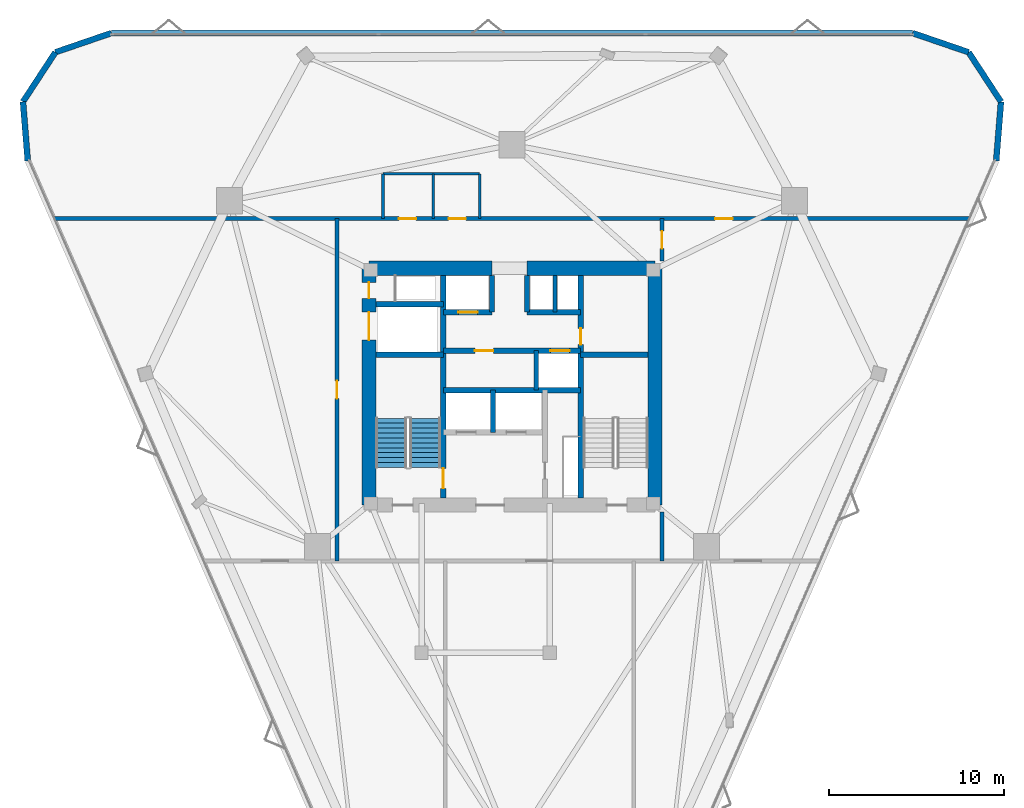
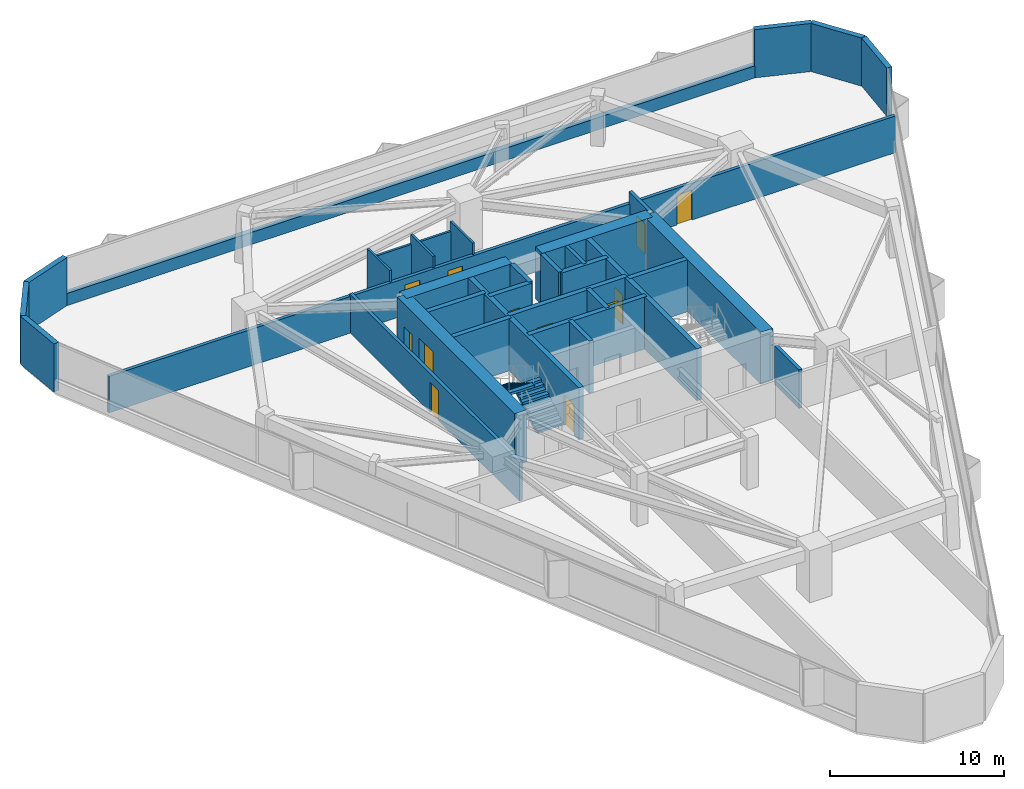
# One storey, part 9 of 11: 33 walls, 12 doors, 2 stair flights, 12 openings, 1 element without a shape of its own.
"""IFC4 building model written with IfcOpenShell, lengths in metres."""

import ifcopenshell
import ifcopenshell.guid

model = None  # the IFC model being written
_history = None  # IfcOwnerHistory: only IFC2X3 demands one
_inside = {}  # id of a spatial element -> (the spatial element, [elements in it])
_under = {}  # id of a project, library or spatial element -> (it, [spatial elements below it])
_declared = {}  # id of a project -> (the project, [libraries it declares])
_typed = {}  # id of a type object -> (the type object, [elements of that type])
_made_of = {}  # id of a material, layer set ... -> (it, [elements and type objects made of it])


def new_model(schema):
    """Start an empty IFC model of exactly this schema.

    Asked for "IFC4X3", IfcOpenShell would pick the latest addendum, in which some entities
    have other attributes; the version numbers below select the first issue.
    IFC2X3 requires an IfcOwnerHistory on every rooted entity: one is made here for all.
    """
    global model, _history
    if schema == "IFC4X3":
        model = ifcopenshell.file(schema_version=(4, 3, 0, 0))
    else:
        model = ifcopenshell.file(schema=schema)
    _inside.clear()
    _under.clear()
    _declared.clear()
    _typed.clear()
    _made_of.clear()
    _history = None
    if model.schema == "IFC2X3":
        org = make("IfcOrganization", Name="unknown")
        user = make(
            "IfcPersonAndOrganization",
            ThePerson=make("IfcPerson", FamilyName="unknown"),
            TheOrganization=org,
        )
        app = make(
            "IfcApplication",
            ApplicationDeveloper=org,
            Version="unknown",
            ApplicationFullName="unknown",
            ApplicationIdentifier="unknown",
        )
        _history = make(
            "IfcOwnerHistory",
            OwningUser=user,
            OwningApplication=app,
            ChangeAction="ADDED",
            CreationDate=0,
        )
    return model


def make(cls, **values):
    """One entity of the class cls with the attributes given. An attribute that is None is left unset."""
    return model.create_entity(
        cls, **{name: value for name, value in values.items() if value is not None}
    )


def rooted(cls, **values):
    """An entity with a GlobalId (a new one), such as an element, a storey or a relation."""
    return make(cls, GlobalId=ifcopenshell.guid.new(), OwnerHistory=_history, **values)


def si_unit(unit_type, name, prefix=None):
    """IfcSIUnit, for example si_unit("LENGTHUNIT", "METRE", prefix="MILLI")."""
    return make("IfcSIUnit", UnitType=unit_type, Prefix=prefix, Name=name)


def assignment(units):
    """IfcUnitAssignment: the units of a project."""
    return None if units is None else make("IfcUnitAssignment", Units=units)


def point(xyz):
    """IfcCartesianPoint."""
    return None if xyz is None else make("IfcCartesianPoint", Coordinates=xyz)


def direction(xyz):
    """IfcDirection."""
    return None if xyz is None else make("IfcDirection", DirectionRatios=xyz)


def frame(location, z_axis=None, x_axis=None):
    """IfcAxis2Placement3D, a coordinate frame: its origin and axes. An axis left out is left unset."""
    return make(
        "IfcAxis2Placement3D",
        Location=point(location),
        Axis=direction(z_axis),
        RefDirection=direction(x_axis),
    )


def frame_2d(location, x_axis=None):
    """IfcAxis2Placement2D, a coordinate frame in the plane: its origin and x axis."""
    return make(
        "IfcAxis2Placement2D", Location=point(location), RefDirection=direction(x_axis)
    )


def origin():
    """The frame at (0, 0, 0) with its axes left unset."""
    return frame((0.0, 0.0, 0.0))


def place(relative_to, where):
    """IfcLocalPlacement: puts the frame where relative to a parent placement (None: the world)."""
    return make(
        "IfcLocalPlacement", PlacementRelTo=relative_to, RelativePlacement=where
    )


def context(
    kind, dimensions, precision=None, world=None, true_north=None, identifier=None
):
    """IfcGeometricRepresentationContext, for example the 3D "Model" context."""
    return make(
        "IfcGeometricRepresentationContext",
        ContextIdentifier=identifier,
        ContextType=kind,
        CoordinateSpaceDimension=dimensions,
        Precision=precision,
        WorldCoordinateSystem=world,
        TrueNorth=true_north,
    )


def subcontext(parent, identifier, kind, view, scale=None):
    """IfcGeometricRepresentationSubContext, for example "Body" below "Model"."""
    return make(
        "IfcGeometricRepresentationSubContext",
        ContextIdentifier=identifier,
        ContextType=kind,
        ParentContext=parent,
        TargetScale=scale,
        TargetView=view,
    )


def project(units=None, contexts=None):
    """IfcProject with its units and contexts."""
    return rooted(
        "IfcProject",
        Name="project",
        RepresentationContexts=contexts,
        UnitsInContext=assignment(units),
    )


def spatial(cls, under=None, at=None, **own):
    """A site, building, storey or space (cls), placed at a placement, below another one or the project."""
    s = rooted(cls, ObjectPlacement=at, **own)
    if under is not None:
        _under.setdefault(under.id(), (under, []))[1].append(s)
    return s


def polyline(points):
    """IfcPolyline through the points."""
    return make("IfcPolyline", Points=[point(p) for p in points])


def profile(cls, at=None, kind="AREA", **sizes):
    """A parametric profile (cls). Its sizes go by their IFC names, for example OverallWidth=200.0."""
    return make(cls, ProfileType=kind, Position=at, **sizes)


def rectangle(**sizes):
    """IfcRectangleProfileDef."""
    return profile("IfcRectangleProfileDef", **sizes)


def outline(outer, holes=None, kind="AREA"):
    """IfcArbitraryClosedProfileDef: a profile drawn as a closed curve; with holes, ...WithVoids."""
    if holes is None:
        return make("IfcArbitraryClosedProfileDef", ProfileType=kind, OuterCurve=outer)
    return make(
        "IfcArbitraryProfileDefWithVoids",
        ProfileType=kind,
        OuterCurve=outer,
        InnerCurves=holes,
    )


def extrude(swept, where, along, depth):
    """IfcExtrudedAreaSolid: the profile swept, set in the frame where, extruded along a direction by depth."""
    return make(
        "IfcExtrudedAreaSolid",
        SweptArea=swept,
        Position=where,
        ExtrudedDirection=direction(along),
        Depth=depth,
    )


def shape(context_of_items, identifier, shape_type, items):
    """IfcShapeRepresentation: the items that make up one representation, for example the "Body"."""
    return make(
        "IfcShapeRepresentation",
        ContextOfItems=context_of_items,
        RepresentationIdentifier=identifier,
        RepresentationType=shape_type,
        Items=items,
    )


def material(Name=None, Category=None):
    """IfcMaterial."""
    return make("IfcMaterial", Name=Name, Category=Category)


def layer(
    of_material, thickness, ventilated=None, Name=None, Category=None, Priority=None
):
    """IfcMaterialLayer: one layer of a wall or slab, of a material (None: an air gap)."""
    return make(
        "IfcMaterialLayer",
        Material=of_material,
        LayerThickness=thickness,
        IsVentilated=ventilated,
        Name=Name,
        Category=Category,
        Priority=Priority,
    )


def layer_set(layers, Name=None):
    """IfcMaterialLayerSet."""
    return make("IfcMaterialLayerSet", MaterialLayers=layers, LayerSetName=Name)


def made_of(thing, what):
    """Note that an element or type object is made of a material, layer set ...; save() writes the relation."""
    if what is not None:
        _made_of.setdefault(what.id(), (what, []))[1].append(thing)
    return thing


def type_object(cls, material=None, **own):
    """A type object (cls), such as IfcWallType, which elements share."""
    return made_of(rooted(cls, **own), material)


def element(
    cls,
    number,
    at=None,
    inside=None,
    cuts=None,
    type_object=None,
    material=None,
    context=None,
    identifier="Body",
    shape_type=None,
    held_by="IfcProductDefinitionShape",
    body=None,
    shapes=None,
    **own,
):
    """One element of the class cls, such as IfcWall. Its Tag is "e" and its number.

    at: its placement. inside: the storey or other place that contains it. cuts: it is an
    opening in that element (IfcRelVoidsElement). A single representation is given by context,
    identifier, shape_type and body (its items); several are given by shapes. held_by: the class
    of the entity that holds the representations. save() writes the other relations.
    """
    e = rooted(cls, Tag="e%d" % number, ObjectPlacement=at, **own)
    if body is not None:
        shapes = [shape(context, identifier, shape_type, body)]
    if shapes is not None:
        e.Representation = make(held_by, Representations=shapes)
    if inside is not None:
        _inside.setdefault(inside.id(), (inside, []))[1].append(e)
    if cuts is not None:
        rooted(
            "IfcRelVoidsElement", RelatingBuildingElement=cuts, RelatedOpeningElement=e
        )
    if type_object is not None:
        _typed.setdefault(type_object.id(), (type_object, []))[1].append(e)
    return made_of(e, material)


def fill(opening, filler):
    """IfcRelFillsElement: the door or window that sits in an opening."""
    return rooted(
        "IfcRelFillsElement",
        RelatingOpeningElement=opening,
        RelatedBuildingElement=filler,
    )


def aggregate(whole, parts):
    """IfcRelAggregates: a whole, such as a stair, and the parts it consists of."""
    return rooted("IfcRelAggregates", RelatingObject=whole, RelatedObjects=parts)


def save(model, path):
    """Write the relations noted so far, then the file.

    IfcRelAggregates (storeys below a building ...), IfcRelContainedInSpatialStructure (elements
    in a storey), IfcRelDefinesByType, IfcRelAssociatesMaterial and IfcRelDeclares: one each for
    every whole, place, type object, material and project.
    """
    for whole, parts in _under.values():
        aggregate(whole, parts)
    for where, things in _inside.values():
        rooted(
            "IfcRelContainedInSpatialStructure",
            RelatedElements=things,
            RelatingStructure=where,
        )
    for kind, things in _typed.values():
        rooted("IfcRelDefinesByType", RelatedObjects=things, RelatingType=kind)
    for what, things in _made_of.values():
        rooted("IfcRelAssociatesMaterial", RelatedObjects=things, RelatingMaterial=what)
    for by, libraries in _declared.values():
        rooted("IfcRelDeclares", RelatingContext=by, RelatedDefinitions=libraries)
    model.write(path)


model = new_model("IFC4")

# Units and contexts
model_context = context("Model", 3, precision=1e-05, world=origin(), true_north=direction((0.0, 1.0)))
body_context = subcontext(model_context, "Body", "Model", "MODEL_VIEW")
ifc_project = project(units=[si_unit("LENGTHUNIT", "METRE"), si_unit("AREAUNIT", "SQUARE_METRE"), si_unit("VOLUMEUNIT", "CUBIC_METRE"), si_unit("PLANEANGLEUNIT", "RADIAN"), si_unit("MASSUNIT", "GRAM", prefix="KILO")], contexts=[model_context])

# Site, building, storey
site_placement = place(None, origin())
site = spatial("IfcSite", under=ifc_project, at=site_placement, CompositionType="ELEMENT")
building_placement = place(site_placement, origin())
building = spatial("IfcBuilding", under=site, at=building_placement, Name="Talyreon Biosciences Tower", CompositionType="ELEMENT")
storey_placement = place(building_placement, frame((0.0, 0.0, 163.699951171875)))
storey = spatial("IfcBuildingStorey", under=building, at=storey_placement, Name="L43", CompositionType="ELEMENT", Elevation=163.699951171875)

# Walls
ifc_material_1 = material(Name="Concrete C50/60", Category="concrete")
ifc_layer_1 = layer(ifc_material_1, 0.219970703125)
ifc_layer_set_1 = layer_set([ifc_layer_1], Name="Concrete C50/60")
wall_type_1 = type_object("IfcWallType", Name="CoreShearWall_220", PredefinedType="SHEAR", material=ifc_layer_set_1)
wall_1_placement = place(storey_placement, frame((68.4599609375, 72.25, 0.0), z_axis=(0.0, 0.0, 1.0), x_axis=(0.0, 1.0, 0.0)))
element("IfcWall", 1, at=wall_1_placement, inside=storey, type_object=wall_type_1, Name="L43 Core Shaft Wall SWPHD", PredefinedType="SHEAR", context=body_context, shape_type="SweptSolid", body=[
    extrude(rectangle(XDim=2.10009765625, YDim=0.219970703125, at=frame_2d((1.050048828125, 0.0))), origin(), (0.0, 0.0, 1.0), 3.650146484375),
])
ifc_layer_2 = layer(ifc_material_1, 0.280029296875)
ifc_layer_set_2 = layer_set([ifc_layer_2], Name="Concrete C50/60")
wall_type_2 = type_object("IfcWallType", Name="CoreShearWall_280", PredefinedType="SHEAR", material=ifc_layer_set_2)
wall_2_placement = place(storey_placement, frame((64.919921875, 65.39990234375, 0.0), z_axis=(0.0, 0.0, 1.0), x_axis=(0.0, 1.0, 0.0)))
element("IfcWall", 2, at=wall_2_placement, inside=storey, type_object=wall_type_2, Name="L43 Core Shaft Wall SWSHD1", PredefinedType="SHEAR", context=body_context, shape_type="SweptSolid", body=[
    extrude(rectangle(XDim=2.400146484375, YDim=0.280029296875, at=frame_2d((1.2001953125, 0.0))), origin(), (0.0, 0.0, 1.0), 3.650146484375),
])
for number, where, z_axis, x_axis, name in (
    (3, (64.85009765625, 72.25, 0.0), (0.0, 0.0, 1.0), (0.0, 1.0, 0.0), "L43 Core Shaft Wall SWTHW"),
    (4, (66.85009765625, 72.25, 0.0), (0.0, 0.0, 1.0), (0.0, 1.0, 0.0), "L43 Core Shaft Wall SWTHE"),
):
    element("IfcWall", number, at=place(storey_placement, frame(where, z_axis=z_axis, x_axis=x_axis)), inside=storey, type_object=wall_type_2, Name=name, PredefinedType="SHEAR", context=body_context, shape_type="SweptSolid", body=[
        extrude(rectangle(XDim=2.10009765625, YDim=0.280029296875, at=frame_2d((1.050048828125, 0.0))), origin(), (0.0, 0.0, 1.0), 3.650146484375),
    ])
wall_3_placement = place(storey_placement, frame((67.3798828125, 67.800048828125, 0.0), z_axis=(0.0, 0.0, 1.0), x_axis=(0.0, 1.0, 0.0)))
element("IfcWall", 5, at=wall_3_placement, inside=storey, type_object=wall_type_2, Name="L43 Core Shaft Wall SWPMD", PredefinedType="SHEAR", context=body_context, shape_type="SweptSolid", body=[
    extrude(rectangle(XDim=2.25, YDim=0.280029296875, at=frame_2d((1.125, 0.0))), origin(), (0.0, 0.0, 1.0), 3.650146484375),
])

# Wall, opening, door
ifc_layer_3 = layer(ifc_material_1, 0.320068359375)
ifc_layer_set_3 = layer_set([ifc_layer_3], Name="Concrete C50/60")
wall_type_3 = type_object("IfcWallType", Name="CoreShearWall_320", PredefinedType="SHEAR", material=ifc_layer_set_3)
wall_4_placement = place(storey_placement, frame((62.090087890625, 61.64990234375, 0.0), z_axis=(0.0, 0.0, 1.0), x_axis=(0.0, 1.0, 0.0)))
wall_4 = element("IfcWall", 6, at=wall_4_placement, inside=storey, type_object=wall_type_3, Name="L43 Core Shaft Wall SW1E", PredefinedType="SHEAR", context=body_context, shape_type="SweptSolid", body=[
    extrude(rectangle(XDim=12.7001953125, YDim=0.320068359375, at=frame_2d((6.35009765625, 0.0))), origin(), (0.0, 0.0, 1.0), 3.650146484375),
])
opening_1_placement = place(wall_4_placement, frame((0.550048828125, 0.0, 0.0)))
opening_1 = element("IfcOpeningElement", 7, at=opening_1_placement, cuts=wall_4, Name="Opening DR-L43-FF-ST1", PredefinedType="OPENING", context=body_context, shape_type="SweptSolid", body=[
    extrude(rectangle(XDim=1.14990234375, YDim=2.14990234375, at=frame_2d((0.574951171875, 1.074951171875))), frame((0.0, 0.169921875, 0.0), z_axis=(0.0, -1.0, 0.0), x_axis=(1.0, 0.0, 0.0)), (0.0, 0.0, 1.0), 0.340087890625),
])
ifc_material_2 = material(Name="Painted steel fire door", Category="steel")
door_type_1 = type_object("IfcDoorType", Name="StairShaftFireDoor_1150x2150", OperationType="NOTDEFINED", PredefinedType="DOOR", material=ifc_material_2)
door_1_placement = place(opening_1_placement, origin())
door_1 = element("IfcDoor", 8, at=door_1_placement, inside=storey, type_object=door_type_1, Name="L43 Core Door DR-L43-FF-ST1", OperationType="SINGLE_SWING_LEFT", OverallHeight=2.14990234375, OverallWidth=1.14990234375, PredefinedType="DOOR", context=body_context, shape_type="SweptSolid", body=[
    extrude(rectangle(XDim=1.14990234375, YDim=2.14990234375, at=frame_2d((0.574951171875, 1.074951171875))), frame((0.0, 0.02490234375, 0.0), z_axis=(0.0, -1.0, 0.0), x_axis=(1.0, 0.0, 0.0)), (0.0, 0.0, 1.0), 0.050048828125),
])
fill(opening_1, door_1)

wall_5_placement = place(storey_placement, frame((69.909912109375, 61.64990234375, 0.0), z_axis=(0.0, 0.0, 1.0), x_axis=(0.0, 1.0, 0.0)))
wall_5 = element("IfcWall", 9, at=wall_5_placement, inside=storey, type_object=wall_type_3, Name="L43 Core Shaft Wall SW2W", PredefinedType="SHEAR", context=body_context, shape_type="SweptSolid", body=[
    extrude(rectangle(XDim=12.7001953125, YDim=0.320068359375, at=frame_2d((6.35009765625, 0.0))), origin(), (0.0, 0.0, 1.0), 3.650146484375),
])
opening_2_placement = place(wall_5_placement, frame((8.75, 0.0, 0.0)))
opening_2 = element("IfcOpeningElement", 10, at=opening_2_placement, cuts=wall_5, Name="Opening DR-L43-CSRV", PredefinedType="OPENING", context=body_context, shape_type="SweptSolid", body=[
    extrude(rectangle(XDim=0.919921875, YDim=2.050048828125, at=frame_2d((0.4599609375, 1.02490234375))), frame((0.0, 0.169921875, 0.0), z_axis=(0.0, -1.0, 0.0), x_axis=(1.0, 0.0, 0.0)), (0.0, 0.0, 1.0), 0.340087890625),
])
ifc_material_3 = material(Name="Painted steel fire-rated riser door", Category="steel")
door_type_2 = type_object("IfcDoorType", Name="RiserPlantAccessDoor_920x2050", OperationType="NOTDEFINED", PredefinedType="DOOR", material=ifc_material_3)
door_2_placement = place(opening_2_placement, origin())
door_2 = element("IfcDoor", 11, at=door_2_placement, inside=storey, type_object=door_type_2, Name="L43 Core Door DR-L43-CSRV", OperationType="SINGLE_SWING_RIGHT", OverallHeight=2.050048828125, OverallWidth=0.919921875, PredefinedType="DOOR", context=body_context, shape_type="SweptSolid", body=[
    extrude(rectangle(XDim=0.919921875, YDim=2.050048828125, at=frame_2d((0.4599609375, 1.02490234375))), frame((0.0, 0.02490234375, 0.0), z_axis=(0.0, -1.0, 0.0), x_axis=(1.0, 0.0, 0.0)), (0.0, 0.0, 1.0), 0.050048828125),
])
fill(opening_2, door_2)

# Walls
for number, where, z_axis, x_axis, name in (
    (12, (58.25, 69.81005859375, 0.0), (0.0, 0.0, 1.0), (1.0, 0.0, 0.0), "L43 Core Shaft Wall SW1N"),
    (13, (69.909912109375, 69.81005859375, 0.0), (0.0, 0.0, 1.0), (1.0, 0.0, 0.0), "L43 Core Shaft Wall SW2N"),
    (14, (58.25, 72.699951171875, 0.0), (0.0, 0.0, 1.0), (1.0, 0.0, 0.0), "L43 Core Shaft Wall SWGLN"),
):
    element("IfcWall", number, at=place(storey_placement, frame(where, z_axis=z_axis, x_axis=x_axis)), inside=storey, type_object=wall_type_3, Name=name, PredefinedType="SHEAR", context=body_context, shape_type="SweptSolid", body=[
        extrude(rectangle(XDim=3.840087890625, YDim=0.320068359375, at=frame_2d((1.919921875, 0.0))), origin(), (0.0, 0.0, 1.0), 3.650146484375),
    ])
wall_6_placement = place(storey_placement, frame((62.090087890625, 67.800048828125, 0.0), z_axis=(0.0, 0.0, 1.0), x_axis=(1.0, 0.0, 0.0)))
element("IfcWall", 15, at=wall_6_placement, inside=storey, type_object=wall_type_3, Name="L43 Core Shaft Wall SWSHM", PredefinedType="SHEAR", context=body_context, shape_type="SweptSolid", body=[
    extrude(rectangle(XDim=7.81982421875, YDim=0.320068359375, at=frame_2d((3.909912109375, 0.0))), origin(), (0.0, 0.0, 1.0), 3.650146484375),
])

# Wall, openings, doors
wall_7_placement = place(storey_placement, frame((62.090087890625, 70.050048828125, 0.0), z_axis=(0.0, 0.0, 1.0), x_axis=(1.0, 0.0, 0.0)))
wall_7 = element("IfcWall", 16, at=wall_7_placement, inside=storey, type_object=wall_type_3, Name="L43 Core Shaft Wall SWSPN", PredefinedType="SHEAR", context=body_context, shape_type="SweptSolid", body=[
    extrude(rectangle(XDim=7.81982421875, YDim=0.320068359375, at=frame_2d((3.909912109375, 0.0))), origin(), (0.0, 0.0, 1.0), 3.650146484375),
])
opening_3_placement = place(wall_7_placement, frame((1.800048828125, 0.0, 0.0)))
opening_3 = element("IfcOpeningElement", 17, at=opening_3_placement, cuts=wall_7, Name="Opening DR-L43-PLFREE-A", PredefinedType="OPENING", context=body_context, shape_type="SweptSolid", body=[
    extrude(rectangle(XDim=1.050048828125, YDim=2.14990234375, at=frame_2d((0.52490234375, 1.074951171875))), frame((0.0, 0.169921875, 0.0), z_axis=(0.0, -1.0, 0.0), x_axis=(1.0, 0.0, 0.0)), (0.0, 0.0, 1.0), 0.340087890625),
])
opening_4_placement = place(wall_7_placement, frame((6.10009765625, 0.0, 0.0)))
opening_4 = element("IfcOpeningElement", 18, at=opening_4_placement, cuts=wall_7, Name="Opening LD-L43-PM1", PredefinedType="OPENING", context=body_context, shape_type="SweptSolid", body=[
    extrude(rectangle(XDim=1.10009765625, YDim=2.199951171875, at=frame_2d((0.550048828125, 1.10009765625))), frame((0.0, 0.169921875, 0.0), z_axis=(0.0, -1.0, 0.0), x_axis=(1.0, 0.0, 0.0)), (0.0, 0.0, 1.0), 0.340087890625),
])
ifc_material_4 = material(Name="Acoustic timber-core laboratory door", Category="wood")
door_type_3 = type_object("IfcDoorType", Name="DryLabSingleDoor_1050x2150", OperationType="NOTDEFINED", PredefinedType="DOOR", material=ifc_material_4)
door_3_placement = place(opening_3_placement, origin())
door_3 = element("IfcDoor", 19, at=door_3_placement, inside=storey, type_object=door_type_3, Name="L43 Core Door DR-L43-PLFREE-A", OperationType="SINGLE_SWING_LEFT", OverallHeight=2.14990234375, OverallWidth=1.050048828125, PredefinedType="DOOR", context=body_context, shape_type="SweptSolid", body=[
    extrude(rectangle(XDim=1.050048828125, YDim=2.14990234375, at=frame_2d((0.52490234375, 1.074951171875))), frame((0.0, 0.02490234375, 0.0), z_axis=(0.0, -1.0, 0.0), x_axis=(1.0, 0.0, 0.0)), (0.0, 0.0, 1.0), 0.050048828125),
])
fill(opening_3, door_3)
ifc_material_5 = material(Name="Brushed stainless-steel lift landing door", Category="steel")
door_type_4 = type_object("IfcDoorType", Name="LiftSlidingLandingDoor_1100x2200", OperationType="SLIDING_TO_LEFT", PredefinedType="DOOR", material=ifc_material_5)
door_4_placement = place(opening_4_placement, origin())
door_4 = element("IfcDoor", 20, at=door_4_placement, inside=storey, type_object=door_type_4, Name="L43 Core Door LD-L43-PM1", OperationType="SLIDING_TO_LEFT", OverallHeight=2.199951171875, OverallWidth=1.10009765625, PredefinedType="DOOR", context=body_context, shape_type="SweptSolid", body=[
    extrude(rectangle(XDim=1.10009765625, YDim=2.199951171875, at=frame_2d((0.550048828125, 1.10009765625))), frame((0.0, 0.02490234375, 0.0), z_axis=(0.0, -1.0, 0.0), x_axis=(1.0, 0.0, 0.0)), (0.0, 0.0, 1.0), 0.050048828125),
])
fill(opening_4, door_4)

# Wall, opening, door
wall_8_placement = place(storey_placement, frame((62.090087890625, 72.25, 0.0), z_axis=(0.0, 0.0, 1.0), x_axis=(1.0, 0.0, 0.0)))
wall_8 = element("IfcWall", 21, at=wall_8_placement, inside=storey, type_object=wall_type_3, Name="L43 Core Shaft Wall SWNPW", PredefinedType="SHEAR", context=body_context, shape_type="SweptSolid", body=[
    extrude(rectangle(XDim=2.760009765625, YDim=0.320068359375, at=frame_2d((1.3798828125, 0.0))), origin(), (0.0, 0.0, 1.0), 3.650146484375),
])
opening_5_placement = place(wall_8_placement, frame((0.85009765625, 0.0, 0.0)))
opening_5 = element("IfcOpeningElement", 22, at=opening_5_placement, cuts=wall_8, Name="Opening LD-L43-PM2", PredefinedType="OPENING", context=body_context, shape_type="SweptSolid", body=[
    extrude(rectangle(XDim=1.10009765625, YDim=2.199951171875, at=frame_2d((0.550048828125, 1.10009765625))), frame((0.0, 0.169921875, 0.0), z_axis=(0.0, -1.0, 0.0), x_axis=(1.0, 0.0, 0.0)), (0.0, 0.0, 1.0), 0.340087890625),
])
door_5_placement = place(opening_5_placement, origin())
door_5 = element("IfcDoor", 23, at=door_5_placement, inside=storey, type_object=door_type_4, Name="L43 Core Door LD-L43-PM2", OperationType="SLIDING_TO_LEFT", OverallHeight=2.199951171875, OverallWidth=1.10009765625, PredefinedType="DOOR", context=body_context, shape_type="SweptSolid", body=[
    extrude(rectangle(XDim=1.10009765625, YDim=2.199951171875, at=frame_2d((0.550048828125, 1.10009765625))), frame((0.0, 0.02490234375, 0.0), z_axis=(0.0, -1.0, 0.0), x_axis=(1.0, 0.0, 0.0)), (0.0, 0.0, 1.0), 0.050048828125),
])
fill(opening_5, door_5)

# Walls
wall_9_placement = place(storey_placement, frame((66.85009765625, 72.25, 0.0), z_axis=(0.0, 0.0, 1.0), x_axis=(1.0, 0.0, 0.0)))
element("IfcWall", 24, at=wall_9_placement, inside=storey, type_object=wall_type_3, Name="L43 Core Shaft Wall SWNPE", PredefinedType="SHEAR", context=body_context, shape_type="SweptSolid", body=[
    extrude(rectangle(XDim=3.059814453125, YDim=0.320068359375, at=frame_2d((1.52978515625, 0.0))), origin(), (0.0, 0.0, 1.0), 3.650146484375),
])
ifc_material_6 = material(Name="Concrete C60/75", Category="concrete")
ifc_layer_4 = layer(ifc_material_6, 0.800048828125)
ifc_layer_set_4 = layer_set([ifc_layer_4], Name="Concrete C60/75")
wall_type_4 = type_object("IfcWallType", Name="CoreShearWall_800", PredefinedType="SHEAR", material=ifc_layer_set_4)
wall_10_placement = place(storey_placement, frame((74.14990234375, 61.25, 0.0), z_axis=(0.0, 0.0, 1.0), x_axis=(0.0, 1.0, 0.0)))
element("IfcWall", 25, at=wall_10_placement, inside=storey, type_object=wall_type_4, Name="L43 Core Shear Wall E", PredefinedType="SHEAR", context=body_context, shape_type="SweptSolid", body=[
    extrude(rectangle(XDim=13.5, YDim=0.800048828125, at=frame_2d((6.75, 0.0))), origin(), (0.0, 0.0, 1.0), 3.650146484375),
])
wall_11_placement = place(storey_placement, frame((74.14990234375, 74.75, 0.0), z_axis=(0.0, 0.0, 1.0), x_axis=(-1.0, 0.0, 0.0)))
element("IfcWall", 26, at=wall_11_placement, inside=storey, type_object=wall_type_4, Name="L43 Core Shear Wall NE", PredefinedType="SHEAR", context=body_context, shape_type="SweptSolid", body=[
    extrude(rectangle(XDim=7.2998046875, YDim=0.800048828125, at=frame_2d((3.64990234375, 0.0))), origin(), (0.0, 0.0, 1.0), 3.650146484375),
])
wall_12_placement = place(storey_placement, frame((64.85009765625, 74.75, 0.0), z_axis=(0.0, 0.0, 1.0), x_axis=(-1.0, 0.0, 0.0)))
element("IfcWall", 27, at=wall_12_placement, inside=storey, type_object=wall_type_4, Name="L43 Core Shear Wall NW", PredefinedType="SHEAR", context=body_context, shape_type="SweptSolid", body=[
    extrude(rectangle(XDim=7.0, YDim=0.800048828125, at=frame_2d((3.5, 0.0))), origin(), (0.0, 0.0, 1.0), 3.650146484375),
])

# Wall, openings, doors
wall_13_placement = place(storey_placement, frame((57.85009765625, 74.75, 0.0), z_axis=(0.0, 0.0, 1.0), x_axis=(0.0, -1.0, 0.0)))
wall_13 = element("IfcWall", 28, at=wall_13_placement, inside=storey, type_object=wall_type_4, Name="L43 Core Shear Wall W", PredefinedType="SHEAR", context=body_context, shape_type="SweptSolid", body=[
    extrude(rectangle(XDim=13.5, YDim=0.800048828125, at=frame_2d((6.75, 0.0))), origin(), (0.0, 0.0, 1.0), 3.650146484375),
])
opening_6_placement = place(wall_13_placement, frame((0.800048828125, 0.0, 0.0)))
opening_6 = element("IfcOpeningElement", 29, at=opening_6_placement, cuts=wall_13, Name="Opening DR-L43-RSW", PredefinedType="OPENING", context=body_context, shape_type="SweptSolid", body=[
    extrude(rectangle(XDim=0.919921875, YDim=2.050048828125, at=frame_2d((0.4599609375, 1.02490234375))), frame((0.0, 0.409912109375, 0.0), z_axis=(0.0, -1.0, 0.0), x_axis=(1.0, 0.0, 0.0)), (0.0, 0.0, 1.0), 0.820068359375),
])
opening_7_placement = place(wall_13_placement, frame((2.5, 0.0, 0.0)))
opening_7 = element("IfcOpeningElement", 30, at=opening_7_placement, cuts=wall_13, Name="Opening LD-L43-GL1", PredefinedType="OPENING", context=body_context, shape_type="SweptSolid", body=[
    extrude(rectangle(XDim=1.60009765625, YDim=2.300048828125, at=frame_2d((0.800048828125, 1.14990234375))), frame((0.0, 0.409912109375, 0.0), z_axis=(0.0, -1.0, 0.0), x_axis=(1.0, 0.0, 0.0)), (0.0, 0.0, 1.0), 0.820068359375),
])
ifc_material_7 = material(Name="Heavy-duty stainless-steel goods lift door", Category="steel")
door_type_5 = type_object("IfcDoorType", Name="GoodsLiftSlidingDoor_1600x2300", OperationType="DOUBLE_DOOR_SLIDING", PredefinedType="DOOR", material=ifc_material_7)
door_6_placement = place(opening_7_placement, origin())
door_6 = element("IfcDoor", 31, at=door_6_placement, inside=storey, type_object=door_type_5, Name="L43 Core Door LD-L43-GL1", OperationType="DOUBLE_DOOR_SLIDING", OverallHeight=2.300048828125, OverallWidth=1.60009765625, PredefinedType="DOOR", context=body_context, shape_type="SweptSolid", body=[
    extrude(rectangle(XDim=1.60009765625, YDim=2.300048828125, at=frame_2d((0.800048828125, 1.14990234375))), frame((0.0, 0.02490234375, 0.0), z_axis=(0.0, -1.0, 0.0), x_axis=(1.0, 0.0, 0.0)), (0.0, 0.0, 1.0), 0.050048828125),
])
fill(opening_7, door_6)
door_7_placement = place(opening_6_placement, origin())
door_7 = element("IfcDoor", 32, at=door_7_placement, inside=storey, type_object=door_type_2, Name="L43 Core Door DR-L43-RSW", OperationType="SINGLE_SWING_LEFT", OverallHeight=2.050048828125, OverallWidth=0.919921875, PredefinedType="DOOR", context=body_context, shape_type="SweptSolid", body=[
    extrude(rectangle(XDim=0.919921875, YDim=2.050048828125, at=frame_2d((0.4599609375, 1.02490234375))), frame((0.0, 0.02490234375, 0.0), z_axis=(0.0, -1.0, 0.0), x_axis=(1.0, 0.0, 0.0)), (0.0, 0.0, 1.0), 0.050048828125),
])
fill(opening_6, door_7)

ifc_material_8 = material(Name="Gypsum fireboard acoustic stud", Category="gypsum")
ifc_layer_5 = layer(ifc_material_8, 0.219970703125)
ifc_layer_set_5 = layer_set([ifc_layer_5], Name="Gypsum fireboard acoustic stud")
wall_type_5 = type_object("IfcWallType", Name="CorridorRatedPartition_220", PredefinedType="PARTITIONING", material=ifc_layer_set_5)
wall_14_placement = place(storey_placement, frame((39.934814453125, 77.580078125, 0.0), z_axis=(0.0, 0.0, 1.0), x_axis=(1.0, 0.0, 0.0)))
wall_14 = element("IfcWall", 33, at=wall_14_placement, inside=storey, type_object=wall_type_5, Name="L43 Interior Wall IW-L43-COR-N", PredefinedType="PARTITIONING", context=body_context, shape_type="SweptSolid", body=[
    extrude(rectangle(XDim=52.13037109375, YDim=0.219970703125, at=frame_2d((26.065185546875, 0.0))), origin(), (0.0, 0.0, 1.0), 2.574951171875),
])
opening_8_placement = place(wall_14_placement, frame((19.625, 0.0, 0.0)))
opening_8 = element("IfcOpeningElement", 34, at=opening_8_placement, cuts=wall_14, Name="Opening DR-L43-WC", PredefinedType="OPENING", context=body_context, shape_type="SweptSolid", body=[
    extrude(rectangle(XDim=0.97998046875, YDim=2.10009765625, at=frame_2d((0.489990234375, 1.050048828125))), frame((0.0, 0.119873046875, 0.0), z_axis=(0.0, -1.0, 0.0), x_axis=(1.0, 0.0, 0.0)), (0.0, 0.0, 1.0), 0.239990234375),
])
opening_9_placement = place(wall_14_placement, frame((22.449951171875, 0.0, 0.0)))
opening_9 = element("IfcOpeningElement", 35, at=opening_9_placement, cuts=wall_14, Name="Opening DR-L43-AWC", PredefinedType="OPENING", context=body_context, shape_type="SweptSolid", body=[
    extrude(rectangle(XDim=0.97998046875, YDim=2.10009765625, at=frame_2d((0.489990234375, 1.050048828125))), frame((0.0, 0.119873046875, 0.0), z_axis=(0.0, -1.0, 0.0), x_axis=(1.0, 0.0, 0.0)), (0.0, 0.0, 1.0), 0.239990234375),
])
opening_10_placement = place(wall_14_placement, frame((37.637939453125, 0.0, 0.0)))
opening_10 = element("IfcOpeningElement", 36, at=opening_10_placement, cuts=wall_14, Name="Opening DR-L43-N1A", PredefinedType="OPENING", context=body_context, shape_type="SweptSolid", body=[
    extrude(rectangle(XDim=1.0, YDim=2.10009765625, at=frame_2d((0.5, 1.050048828125))), frame((0.0, 0.119873046875, 0.0), z_axis=(0.0, -1.0, 0.0), x_axis=(1.0, 0.0, 0.0)), (0.0, 0.0, 1.0), 0.239990234375),
])
ifc_material_9 = material(Name="Laminate moisture-resistant door", Category="wood")
door_type_6 = type_object("IfcDoorType", Name="AccessibleToiletDoor_980x2100", OperationType="NOTDEFINED", PredefinedType="DOOR", material=ifc_material_9)
door_8_placement = place(opening_8_placement, origin())
door_8 = element("IfcDoor", 37, at=door_8_placement, inside=storey, type_object=door_type_6, Name="L43 Interior Door DR-L43-WC", OperationType="SINGLE_SWING_LEFT", OverallHeight=2.10009765625, OverallWidth=0.97998046875, PredefinedType="DOOR", context=body_context, shape_type="SweptSolid", body=[
    extrude(rectangle(XDim=0.97998046875, YDim=2.10009765625, at=frame_2d((0.489990234375, 1.050048828125))), frame((0.0, 0.02490234375, 0.0), z_axis=(0.0, -1.0, 0.0), x_axis=(1.0, 0.0, 0.0)), (0.0, 0.0, 1.0), 0.050048828125),
])
fill(opening_8, door_8)
door_9_placement = place(opening_9_placement, origin())
door_9 = element("IfcDoor", 38, at=door_9_placement, inside=storey, type_object=door_type_6, Name="L43 Interior Door DR-L43-AWC", OperationType="SINGLE_SWING_LEFT", OverallHeight=2.10009765625, OverallWidth=0.97998046875, PredefinedType="DOOR", context=body_context, shape_type="SweptSolid", body=[
    extrude(rectangle(XDim=0.97998046875, YDim=2.10009765625, at=frame_2d((0.489990234375, 1.050048828125))), frame((0.0, 0.02490234375, 0.0), z_axis=(0.0, -1.0, 0.0), x_axis=(1.0, 0.0, 0.0)), (0.0, 0.0, 1.0), 0.050048828125),
])
fill(opening_9, door_9)
ifc_material_10 = material(Name="Acoustic oak veneer office door", Category="wood")
door_type_7 = type_object("IfcDoorType", Name="WriteupOfficeDoor_1000x2100", OperationType="NOTDEFINED", PredefinedType="DOOR", material=ifc_material_10)
door_10_placement = place(opening_10_placement, origin())
door_10 = element("IfcDoor", 39, at=door_10_placement, inside=storey, type_object=door_type_7, Name="L43 Interior Door DR-L43-N1A", OperationType="SINGLE_SWING_LEFT", OverallHeight=2.10009765625, OverallWidth=1.0, PredefinedType="DOOR", context=body_context, shape_type="SweptSolid", body=[
    extrude(rectangle(XDim=1.0, YDim=2.10009765625, at=frame_2d((0.5, 1.050048828125))), frame((0.0, 0.02490234375, 0.0), z_axis=(0.0, -1.0, 0.0), x_axis=(1.0, 0.0, 0.0)), (0.0, 0.0, 1.0), 0.050048828125),
])
fill(opening_10, door_10)

# Wall, opening, door
wall_15_placement = place(storey_placement, frame((56.030029296875, 58.070068359375, 0.0), z_axis=(0.0, 0.0, 1.0), x_axis=(0.0, 1.0, 0.0)))
wall_15 = element("IfcWall", 40, at=wall_15_placement, inside=storey, type_object=wall_type_5, Name="L43 Interior Wall IW-L43-COR-W", PredefinedType="PARTITIONING", context=body_context, shape_type="SweptSolid", body=[
    extrude(rectangle(XDim=19.510009765625, YDim=0.219970703125, at=frame_2d((9.7548828125, 0.0))), origin(), (0.0, 0.0, 1.0), 2.705078125),
])
opening_11_placement = place(wall_15_placement, frame((9.2548828125, 0.0, 0.0)))
opening_11 = element("IfcOpeningElement", 41, at=opening_11_placement, cuts=wall_15, Name="Opening DR-L43-W1A", PredefinedType="OPENING", context=body_context, shape_type="SweptSolid", body=[
    extrude(rectangle(XDim=1.0, YDim=2.10009765625, at=frame_2d((0.5, 1.050048828125))), frame((0.0, 0.119873046875, 0.0), z_axis=(0.0, -1.0, 0.0), x_axis=(1.0, 0.0, 0.0)), (0.0, 0.0, 1.0), 0.239990234375),
])
door_11_placement = place(opening_11_placement, origin())
door_11 = element("IfcDoor", 42, at=door_11_placement, inside=storey, type_object=door_type_7, Name="L43 Interior Door DR-L43-W1A", OperationType="SINGLE_SWING_RIGHT", OverallHeight=2.10009765625, OverallWidth=1.0, PredefinedType="DOOR", context=body_context, shape_type="SweptSolid", body=[
    extrude(rectangle(XDim=1.0, YDim=2.10009765625, at=frame_2d((0.5, 1.050048828125))), frame((0.0, 0.02490234375, 0.0), z_axis=(0.0, -1.0, 0.0), x_axis=(1.0, 0.0, 0.0)), (0.0, 0.0, 1.0), 0.050048828125),
])
fill(opening_11, door_11)

wall_16_placement = place(storey_placement, frame((74.550048828125, 75.14990234375, 0.0), z_axis=(0.0, 0.0, 1.0), x_axis=(0.0, 1.0, 0.0)))
wall_16 = element("IfcWall", 43, at=wall_16_placement, inside=storey, type_object=wall_type_5, Name="L43 Interior Wall IW-L43-ECAP-N", PredefinedType="PARTITIONING", context=body_context, shape_type="SweptSolid", body=[
    extrude(rectangle(XDim=2.43017578125, YDim=0.219970703125, at=frame_2d((1.215087890625, 0.0))), origin(), (0.0, 0.0, 1.0), 3.375),
])
opening_12_placement = place(wall_16_placement, frame((0.715087890625, 0.0, 0.0)))
opening_12 = element("IfcOpeningElement", 44, at=opening_12_placement, cuts=wall_16, Name="Opening DR-L43-E1A", PredefinedType="OPENING", context=body_context, shape_type="SweptSolid", body=[
    extrude(rectangle(XDim=1.0, YDim=2.10009765625, at=frame_2d((0.5, 1.050048828125))), frame((0.0, 0.119873046875, 0.0), z_axis=(0.0, -1.0, 0.0), x_axis=(1.0, 0.0, 0.0)), (0.0, 0.0, 1.0), 0.239990234375),
])
door_12_placement = place(opening_12_placement, origin())
door_12 = element("IfcDoor", 45, at=door_12_placement, inside=storey, type_object=door_type_7, Name="L43 Interior Door DR-L43-E1A", OperationType="SINGLE_SWING_RIGHT", OverallHeight=2.10009765625, OverallWidth=1.0, PredefinedType="DOOR", context=body_context, shape_type="SweptSolid", body=[
    extrude(rectangle(XDim=1.0, YDim=2.10009765625, at=frame_2d((0.5, 1.050048828125))), frame((0.0, 0.02490234375, 0.0), z_axis=(0.0, -1.0, 0.0), x_axis=(1.0, 0.0, 0.0)), (0.0, 0.0, 1.0), 0.050048828125),
])
fill(opening_12, door_12)

# Walls
wall_17_placement = place(storey_placement, frame((74.550048828125, 58.070068359375, 0.0), z_axis=(0.0, 0.0, 1.0), x_axis=(0.0, 1.0, 0.0)))
element("IfcWall", 46, at=wall_17_placement, inside=storey, type_object=wall_type_5, Name="L43 Interior Wall IW-L43-ECAP-S", PredefinedType="PARTITIONING", context=body_context, shape_type="SweptSolid", body=[
    extrude(rectangle(XDim=2.780029296875, YDim=0.219970703125, at=frame_2d((1.39013671875, 0.0))), origin(), (0.0, 0.0, 1.0), 2.705078125),
])
ifc_material_11 = material(Name="Precast concrete C45/55", Category="concrete")
ifc_layer_6 = layer(ifc_material_11, 0.340087890625)
ifc_layer_set_6 = layer_set([ifc_layer_6], Name="Precast concrete C45/55")
wall_type_6 = type_object("IfcWallType", Name="PrecastConcreteSpandrelWall_340", PredefinedType="STANDARD", material=ifc_layer_set_6)
for number, where, z_axis, x_axis, name in (
    (47, (38.406005859375, 80.875, 0.0), (0.0, 0.0, 1.0), (-0.080559330796, 0.99674981526, 0.0), "L43 Rounded-Corner Concrete Pier 01"),
    (48, (38.13427734375, 84.237060546875, 0.0), (0.0, 0.0, 1.0), (0.547933698605, 0.836521764172, 0.0), "L43 Rounded-Corner Concrete Pier 02"),
    (49, (39.982421875, 87.05859375, 0.0), (0.0, 0.0, 1.0), (0.945941504684, 0.324337277717, 0.0), "L43 Rounded-Corner Concrete Pier 03"),
):
    element("IfcWall", number, at=place(storey_placement, frame(where, z_axis=z_axis, x_axis=x_axis)), inside=storey, type_object=wall_type_6, Name=name, PredefinedType="STANDARD", context=body_context, shape_type="SweptSolid", body=[
        extrude(rectangle(XDim=3.373046875, YDim=0.340087890625, at=frame_2d((1.6865234375, 0.0))), origin(), (0.0, 0.0, 1.0), 3.375),
    ])
wall_18_placement = place(storey_placement, frame((43.173095703125, 88.152587890625, 0.0), z_axis=(0.0, 0.0, 1.0), x_axis=(1.0, 0.0, 0.0)))
element("IfcWall", 50, at=wall_18_placement, inside=storey, type_object=wall_type_6, Name="L43 Expressed Concrete Sill Wall 04", PredefinedType="STANDARD", context=body_context, shape_type="SweptSolid", body=[
    extrude(rectangle(XDim=45.65380859375, YDim=0.340087890625, at=frame_2d((22.826904296875, 0.0))), origin(), (0.0, 0.0, 1.0), 0.85009765625),
])
for number, where, z_axis, x_axis, name in (
    (51, (88.826904296875, 88.152587890625, 0.0), (0.0, 0.0, 1.0), (0.945941504684, -0.324337277717, 0.0), "L43 Rounded-Corner Concrete Pier 05"),
    (52, (92.017578125, 87.05859375, 0.0), (0.0, 0.0, 1.0), (0.547933698605, -0.836521764172, 0.0), "L43 Rounded-Corner Concrete Pier 06"),
    (53, (93.86572265625, 84.237060546875, 0.0), (0.0, 0.0, 1.0), (-0.080559330796, -0.99674981526, 0.0), "L43 Rounded-Corner Concrete Pier 07"),
):
    element("IfcWall", number, at=place(storey_placement, frame(where, z_axis=z_axis, x_axis=x_axis)), inside=storey, type_object=wall_type_6, Name=name, PredefinedType="STANDARD", context=body_context, shape_type="SweptSolid", body=[
        extrude(rectangle(XDim=3.373046875, YDim=0.340087890625, at=frame_2d((1.6865234375, 0.0))), origin(), (0.0, 0.0, 1.0), 3.375),
    ])
ifc_material_12 = material(Name="Moisture-resistant cement-board stud", Category="gypsum")
ifc_layer_7 = layer(ifc_material_12, 0.14501953125)
ifc_layer_set_7 = layer_set([ifc_layer_7], Name="Moisture-resistant cement-board stud")
wall_type_7 = type_object("IfcWallType", Name="WetRoomPartition_145", PredefinedType="PARTITIONING", material=ifc_layer_set_7)
for number, where, z_axis, x_axis, name in (
    (54, (58.64990234375, 77.580078125, 0.0), (0.0, 0.0, 1.0), (0.0, 1.0, 0.0), "L43 Interior Wall IW-L43-WCL"),
    (55, (61.52490234375, 77.580078125, 0.0), (0.0, 0.0, 1.0), (0.0, 1.0, 0.0), "L43 Interior Wall IW-L43-WCM"),
    (56, (64.14990234375, 77.580078125, 0.0), (0.0, 0.0, 1.0), (0.0, 1.0, 0.0), "L43 Interior Wall IW-L43-WCR"),
):
    element("IfcWall", number, at=place(storey_placement, frame(where, z_axis=z_axis, x_axis=x_axis)), inside=storey, type_object=wall_type_7, Name=name, PredefinedType="PARTITIONING", context=body_context, shape_type="SweptSolid", body=[
        extrude(rectangle(XDim=2.5498046875, YDim=0.14501953125, at=frame_2d((1.27490234375, 0.0))), origin(), (0.0, 0.0, 1.0), 3.375),
    ])
wall_19_placement = place(storey_placement, frame((58.64990234375, 80.1298828125, 0.0), z_axis=(0.0, 0.0, 1.0), x_axis=(1.0, 0.0, 0.0)))
element("IfcWall", 57, at=wall_19_placement, inside=storey, type_object=wall_type_7, Name="L43 Interior Wall IW-L43-WCT", PredefinedType="PARTITIONING", context=body_context, shape_type="SweptSolid", body=[
    extrude(rectangle(XDim=5.5, YDim=0.14501953125, at=frame_2d((2.75, 0.0))), origin(), (0.0, 0.0, 1.0), 2.705078125),
])

# Stair, stair flights
ifc_material_13 = material(Name="Concrete C40/50", Category="concrete")
stair_type = type_object("IfcStairType", Name="DoglegEscapeStair_3650", PredefinedType="HALF_TURN_STAIR", material=ifc_material_13)
stair_placement = place(storey_placement, origin())
stair = element("IfcStair", 58, at=stair_placement, inside=storey, type_object=stair_type, Name="L43 Core Escape Stair 1", PredefinedType="HALF_TURN_STAIR")
stair_flight_type = type_object("IfcStairFlightType", Name="PrecastStairFlight_3650", PredefinedType="STRAIGHT", material=ifc_material_13)
stair_flight_1_placement = place(storey_placement, frame((61.06005859375, 63.39990234375, 0.0), z_axis=(0.0, 0.0, 1.0), x_axis=(0.0, 1.0, 0.0)))
stair_flight_1 = element("IfcStairFlight", 59, at=stair_flight_1_placement, type_object=stair_flight_type, Name="ST-1 flight 1", NumberOfRisers=11, NumberOfTreads=10, PredefinedType="STRAIGHT", RiserHeight=0.165909091, TreadLength=0.28, context=body_context, shape_type="SweptSolid", body=[
    extrude(outline(polyline([(0.0, 0.0), (0.0, 0.166015625), (0.280029296875, 0.166015625), (0.280029296875, 0.331787109375), (0.56005859375, 0.331787109375), (0.56005859375, 0.497802734375), (0.840087890625, 0.497802734375), (0.840087890625, 0.66357421875), (1.1201171875, 0.66357421875), (1.1201171875, 0.82958984375), (1.39990234375, 0.82958984375), (1.39990234375, 0.995361328125), (1.679931640625, 0.995361328125), (1.679931640625, 1.161376953125), (1.9599609375, 1.161376953125), (1.9599609375, 1.327392578125), (2.239990234375, 1.327392578125), (2.239990234375, 1.4931640625), (2.52001953125, 1.4931640625), (2.52001953125, 1.6591796875), (2.800048828125, 1.6591796875), (2.800048828125, 1.824951171875), (2.800048828125, 1.48486328125), (0.2939453125, 0.0), (0.0, 0.0)])), frame((0.0, 0.8701171875, 0.0), z_axis=(0.0, -1.0, 0.0), x_axis=(1.0, 0.0, 0.0)), (0.0, 0.0, 1.0), 1.739990234375),
])
stair_flight_2_placement = place(storey_placement, frame((59.1201171875, 66.199951171875, 1.824951171875), z_axis=(0.0, 0.0, 1.0), x_axis=(0.0, -1.0, 0.0)))
stair_flight_2 = element("IfcStairFlight", 60, at=stair_flight_2_placement, type_object=stair_flight_type, Name="ST-1 flight 2", NumberOfRisers=11, NumberOfTreads=10, PredefinedType="STRAIGHT", RiserHeight=0.165909091, TreadLength=0.28, context=body_context, shape_type="SweptSolid", body=[
    extrude(outline(polyline([(0.0, 0.0), (0.0, 0.166015625), (0.280029296875, 0.166015625), (0.280029296875, 0.331787109375), (0.56005859375, 0.331787109375), (0.56005859375, 0.497802734375), (0.840087890625, 0.497802734375), (0.840087890625, 0.66357421875), (1.1201171875, 0.66357421875), (1.1201171875, 0.82958984375), (1.39990234375, 0.82958984375), (1.39990234375, 0.995361328125), (1.679931640625, 0.995361328125), (1.679931640625, 1.161376953125), (1.9599609375, 1.161376953125), (1.9599609375, 1.327392578125), (2.239990234375, 1.327392578125), (2.239990234375, 1.4931640625), (2.52001953125, 1.4931640625), (2.52001953125, 1.6591796875), (2.800048828125, 1.6591796875), (2.800048828125, 1.824951171875), (2.800048828125, 1.48486328125), (0.2939453125, 0.0), (0.0, 0.0)])), frame((0.0, 0.8701171875, 0.0), z_axis=(0.0, -1.0, 0.0), x_axis=(1.0, 0.0, 0.0)), (0.0, 0.0, 1.0), 1.739990234375),
])
aggregate(stair, [stair_flight_1, stair_flight_2])

save(model, "model.ifc")
